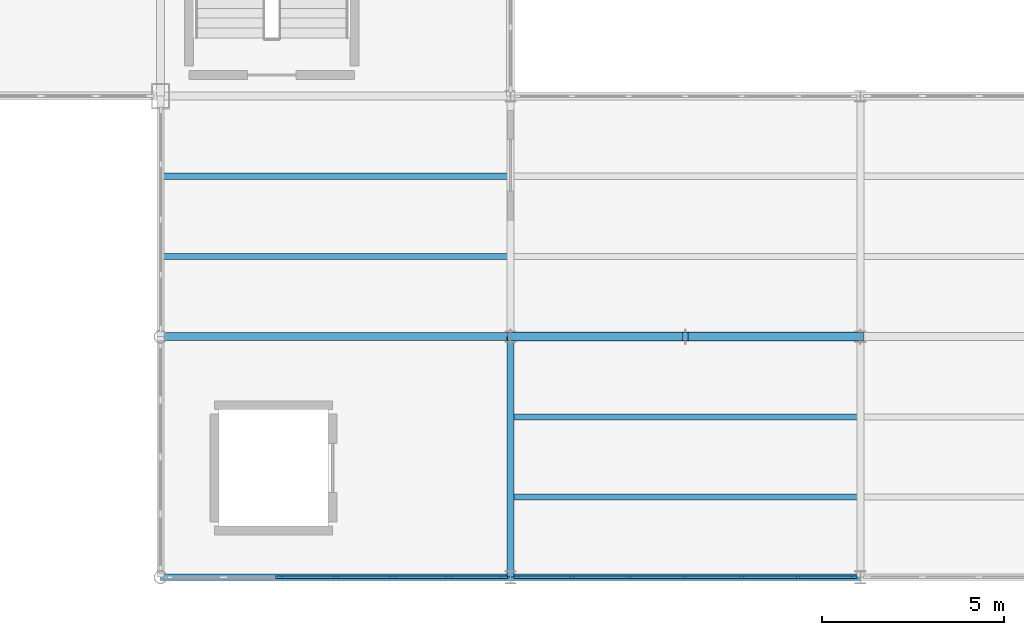
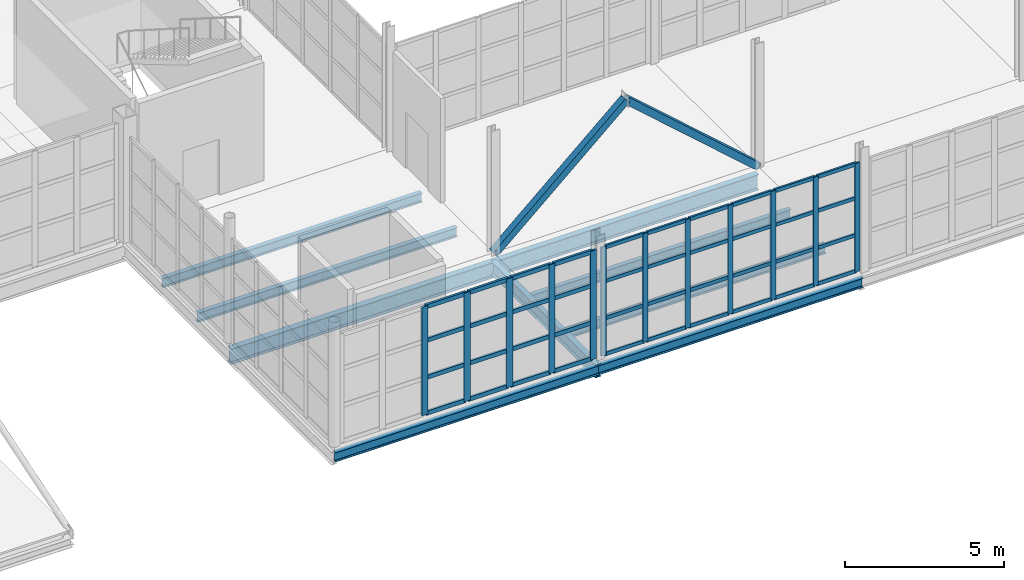
# One storey, part 58 of 120: 54 members, 9 beams, 2 elements without a shape of their own.
"""IFC4 building model written with IfcOpenShell, lengths in metres."""

from ifc_helpers import new_model, si_unit, direction, frame, origin, origin_2d, place, context, subcontext, project, spatial, rectangle, hollow_rectangle, i_section, extrude, material, layer, layer_set, material_profile, profile_set, type_object, element, aggregate, save


model = new_model("IFC4")

# Units and contexts
model_context = context("Model", 3, precision=1e-05, world=origin(), true_north=direction((0.0, 1.0)))
body_context = subcontext(model_context, "Body", "Model", "MODEL_VIEW")
ifc_project = project(units=[si_unit("LENGTHUNIT", "METRE"), si_unit("AREAUNIT", "SQUARE_METRE"), si_unit("VOLUMEUNIT", "CUBIC_METRE"), si_unit("PLANEANGLEUNIT", "RADIAN"), si_unit("MASSUNIT", "GRAM", prefix="KILO")], contexts=[model_context])

# Site, building, storey
site_placement = place(None, origin())
site = spatial("IfcSite", under=ifc_project, at=site_placement, CompositionType="ELEMENT")
building_placement = place(site_placement, origin())
building = spatial("IfcBuilding", under=site, at=building_placement, Name="Zarnetskaya Central Station", CompositionType="ELEMENT")
storey_placement = place(building_placement, frame((0.0, 0.0, 5.39990234375)))
storey = spatial("IfcBuildingStorey", under=building, at=storey_placement, Name="L01", CompositionType="ELEMENT", Elevation=5.39990234375)

# Beams
ifc_material_1 = material(Name="Steel S355", Category="steel")
ifc_material_profile_1 = material_profile(ifc_material_1, i_section(OverallWidth=0.169921875, OverallDepth=0.360107421875, WebThickness=0.008056640625, FlangeThickness=0.0126953125, FilletRadius=0.01806640625, at=origin_2d()), Name="IPE 360")
ifc_profile_set_1 = profile_set([ifc_material_profile_1], Name="Steel S355")
beam_type_1 = type_object("IfcBeamType", Name="BM-SEC-360", PredefinedType="BEAM", material=ifc_profile_set_1)
for number, where, z_axis, x_axis, name in (
    (1, (124.8798828125, 8.800048828125, -0.4599609375), (1.0, 0.0, 0.0), (0.0, 1.0, 0.0), "Secondary floor beam SEC-L01-Z512-PQ-23-1"),
    (2, (124.8798828125, 11.0, -0.4599609375), (1.0, 0.0, 0.0), (0.0, 1.0, 0.0), "Secondary floor beam SEC-L01-Z512-PQ-23-2"),
):
    element("IfcBeam", number, at=place(storey_placement, frame(where, z_axis=z_axis, x_axis=x_axis)), inside=storey, type_object=beam_type_1, Name=name, PredefinedType="BEAM", context=body_context, shape_type="SweptSolid", body=[
        extrude(i_section(OverallWidth=0.169921875, OverallDepth=0.360107421875, WebThickness=0.008056640625, FlangeThickness=0.0126953125, FilletRadius=0.01806640625, at=origin_2d()), origin(), (0.0, 0.0, 1.0), 9.440185546875),
    ])
for number, where, z_axis, x_axis, name in (
    (3, (134.47998046875, 2.199951171875, -0.4599609375), (1.0, 0.0, 0.0), (0.0, 1.0, 0.0), "Secondary floor beam SEC-L01-Z512-QR-12-1"),
    (4, (134.47998046875, 4.39990234375, -0.4599609375), (1.0, 0.0, 0.0), (0.0, 1.0, 0.0), "Secondary floor beam SEC-L01-Z512-QR-12-2"),
):
    element("IfcBeam", number, at=place(storey_placement, frame(where, z_axis=z_axis, x_axis=x_axis)), inside=storey, type_object=beam_type_1, Name=name, PredefinedType="BEAM", context=body_context, shape_type="SweptSolid", body=[
        extrude(i_section(OverallWidth=0.169921875, OverallDepth=0.360107421875, WebThickness=0.008056640625, FlangeThickness=0.0126953125, FilletRadius=0.01806640625, at=origin_2d()), origin(), (0.0, 0.0, 1.0), 9.43994140625),
    ])
ifc_material_profile_2 = material_profile(ifc_material_1, i_section(OverallWidth=0.169921875, OverallDepth=0.360107421875, WebThickness=0.008056640625, FlangeThickness=0.0126953125, FilletRadius=0.01806640625, at=origin_2d()), Name="IPE 360")
ifc_profile_set_2 = profile_set([ifc_material_profile_2], Name="Steel S355")
beam_type_2 = type_object("IfcBeamType", Name="BM-SPN-V4", PredefinedType="SPANDREL", material=ifc_profile_set_2)
beam_1_placement = place(storey_placement, frame((124.800048828125, 0.0, -0.4599609375), z_axis=(1.0, 0.0, 0.0), x_axis=(0.0, 1.0, 0.0)))
element("IfcBeam", 5, at=beam_1_placement, inside=storey, type_object=beam_type_2, Name="Grid girder GX-L01-1-PQ", PredefinedType="SPANDREL", context=body_context, shape_type="SweptSolid", body=[
    extrude(i_section(OverallWidth=0.169921875, OverallDepth=0.360107421875, WebThickness=0.008056640625, FlangeThickness=0.0126953125, FilletRadius=0.01806640625, at=origin_2d()), origin(), (0.0, 0.0, 1.0), 9.599853515625),
])
beam_2_placement = place(storey_placement, frame((134.39990234375, 0.0, -0.4599609375), z_axis=(1.0, 0.0, 0.0), x_axis=(0.0, 1.0, 0.0)))
element("IfcBeam", 6, at=beam_2_placement, inside=storey, type_object=beam_type_2, Name="Grid girder GX-L01-1-QR", PredefinedType="SPANDREL", context=body_context, shape_type="SweptSolid", body=[
    extrude(i_section(OverallWidth=0.169921875, OverallDepth=0.360107421875, WebThickness=0.008056640625, FlangeThickness=0.0126953125, FilletRadius=0.01806640625, at=origin_2d()), origin(), (0.0, 0.0, 1.0), 9.60009765625),
])

# Curtain wall, members
ifc_material_2 = material(Name="Low-E insulated glass", Category="glass")
ifc_layer = layer(ifc_material_2, 0.159912109375, Name="Low-E insulated glass", Category="glass")
ifc_layer_set = layer_set([ifc_layer], Name="Low-E insulated glass")
curtain_wall_type = type_object("IfcCurtainWallType", Name="CW-SYS-06", PredefinedType="USERDEFINED", material=ifc_layer_set)
curtain_wall_1_placement = place(storey_placement, origin())
curtain_wall_1 = element("IfcCurtainWall", 7, at=curtain_wall_1_placement, inside=storey, type_object=curtain_wall_type, Name="Curtain wall CW-L01-125", ObjectType="CURTAIN WALL", PredefinedType="USERDEFINED")
ifc_material_3 = material(Name="Anodised aluminium", Category="aluminium")
ifc_material_profile_3 = material_profile(ifc_material_3, rectangle(XDim=0.070068359375, YDim=0.179931640625, at=origin_2d()), Name="ALU MULL 70x180")
ifc_profile_set_3 = profile_set([ifc_material_profile_3], Name="Anodised aluminium")
member_type_1 = type_object("IfcMemberType", Name="CW-MULL-180", PredefinedType="MULLION", material=ifc_profile_set_3)
member_1_placement = place(storey_placement, frame((143.81494140625, 0.0, 0.0), z_axis=(0.0, 0.0, 1.0), x_axis=(0.0, -1.0, 0.0)))
member_1 = element("IfcMember", 8, at=member_1_placement, type_object=member_type_1, Name="CW-02 mullion 1", PredefinedType="MULLION", context=body_context, shape_type="SweptSolid", body=[
    extrude(rectangle(XDim=0.070068359375, YDim=0.179931640625, at=origin_2d()), origin(), (0.0, 0.0, 1.0), 4.18017578125),
])
member_2_placement = place(storey_placement, frame((142.300048828125, 0.0, 0.0), z_axis=(0.0, 0.0, 1.0), x_axis=(0.0, -1.0, 0.0)))
member_2 = element("IfcMember", 9, at=member_2_placement, type_object=member_type_1, Name="CW-02 mullion 2", PredefinedType="MULLION", context=body_context, shape_type="SweptSolid", body=[
    extrude(rectangle(XDim=0.070068359375, YDim=0.179931640625, at=origin_2d()), origin(), (0.0, 0.0, 1.0), 4.18017578125),
])
member_3_placement = place(storey_placement, frame((140.75, 0.0, 0.0), z_axis=(0.0, 0.0, 1.0), x_axis=(0.0, -1.0, 0.0)))
member_3 = element("IfcMember", 10, at=member_3_placement, type_object=member_type_1, Name="CW-02 mullion 3", PredefinedType="MULLION", context=body_context, shape_type="SweptSolid", body=[
    extrude(rectangle(XDim=0.070068359375, YDim=0.179931640625, at=origin_2d()), origin(), (0.0, 0.0, 1.0), 4.18017578125),
])
member_4_placement = place(storey_placement, frame((139.199951171875, 0.0, 0.0), z_axis=(0.0, 0.0, 1.0), x_axis=(0.0, -1.0, 0.0)))
member_4 = element("IfcMember", 11, at=member_4_placement, type_object=member_type_1, Name="CW-02 mullion 4", PredefinedType="MULLION", context=body_context, shape_type="SweptSolid", body=[
    extrude(rectangle(XDim=0.070068359375, YDim=0.179931640625, at=origin_2d()), origin(), (0.0, 0.0, 1.0), 4.18017578125),
])
member_5_placement = place(storey_placement, frame((137.64990234375, 0.0, 0.0), z_axis=(0.0, 0.0, 1.0), x_axis=(0.0, -1.0, 0.0)))
member_5 = element("IfcMember", 12, at=member_5_placement, type_object=member_type_1, Name="CW-02 mullion 5", PredefinedType="MULLION", context=body_context, shape_type="SweptSolid", body=[
    extrude(rectangle(XDim=0.070068359375, YDim=0.179931640625, at=origin_2d()), origin(), (0.0, 0.0, 1.0), 4.18017578125),
])
member_6_placement = place(storey_placement, frame((136.10009765625, 0.0, 0.0), z_axis=(0.0, 0.0, 1.0), x_axis=(0.0, -1.0, 0.0)))
member_6 = element("IfcMember", 13, at=member_6_placement, type_object=member_type_1, Name="CW-02 mullion 6", PredefinedType="MULLION", context=body_context, shape_type="SweptSolid", body=[
    extrude(rectangle(XDim=0.070068359375, YDim=0.179931640625, at=origin_2d()), origin(), (0.0, 0.0, 1.0), 4.18017578125),
])
member_7_placement = place(storey_placement, frame((134.5849609375, 0.0, 0.0), z_axis=(0.0, 0.0, 1.0), x_axis=(0.0, -1.0, 0.0)))
member_7 = element("IfcMember", 14, at=member_7_placement, type_object=member_type_1, Name="CW-02 mullion 7", PredefinedType="MULLION", context=body_context, shape_type="SweptSolid", body=[
    extrude(rectangle(XDim=0.070068359375, YDim=0.179931640625, at=origin_2d()), origin(), (0.0, 0.0, 1.0), 4.18017578125),
])

curtain_wall_2_placement = place(storey_placement, origin())
curtain_wall_2 = element("IfcCurtainWall", 15, at=curtain_wall_2_placement, inside=storey, type_object=curtain_wall_type, Name="Curtain wall CW-L01-126", ObjectType="CURTAIN WALL", PredefinedType="USERDEFINED")
ifc_material_profile_4 = material_profile(ifc_material_3, rectangle(XDim=0.080078125, YDim=0.219970703125, at=origin_2d()), Name="ALU MULL 80x220")
ifc_profile_set_4 = profile_set([ifc_material_profile_4], Name="Anodised aluminium")
member_type_2 = type_object("IfcMemberType", Name="CW-MULL-220", PredefinedType="MULLION", material=ifc_profile_set_4)
member_8_placement = place(storey_placement, frame((134.2099609375, 0.0, 0.0), z_axis=(0.0, 0.0, 1.0), x_axis=(0.0, -1.0, 0.0)))
member_8 = element("IfcMember", 16, at=member_8_placement, type_object=member_type_2, Name="CW-02 mullion 1", PredefinedType="MULLION", context=body_context, shape_type="SweptSolid", body=[
    extrude(rectangle(XDim=0.080078125, YDim=0.219970703125, at=origin_2d()), origin(), (0.0, 0.0, 1.0), 4.18017578125),
])
member_9_placement = place(storey_placement, frame((132.70458984375, 0.0, 0.0), z_axis=(0.0, 0.0, 1.0), x_axis=(0.0, -1.0, 0.0)))
member_9 = element("IfcMember", 17, at=member_9_placement, type_object=member_type_2, Name="CW-02 mullion 2", PredefinedType="MULLION", context=body_context, shape_type="SweptSolid", body=[
    extrude(rectangle(XDim=0.080078125, YDim=0.219970703125, at=origin_2d()), origin(), (0.0, 0.0, 1.0), 4.18017578125),
])
member_10_placement = place(storey_placement, frame((131.1591796875, 0.0, 0.0), z_axis=(0.0, 0.0, 1.0), x_axis=(0.0, -1.0, 0.0)))
member_10 = element("IfcMember", 18, at=member_10_placement, type_object=member_type_2, Name="CW-02 mullion 3", PredefinedType="MULLION", context=body_context, shape_type="SweptSolid", body=[
    extrude(rectangle(XDim=0.080078125, YDim=0.219970703125, at=origin_2d()), origin(), (0.0, 0.0, 1.0), 4.18017578125),
])
member_11_placement = place(storey_placement, frame((129.614013671875, 0.0, 0.0), z_axis=(0.0, 0.0, 1.0), x_axis=(0.0, -1.0, 0.0)))
member_11 = element("IfcMember", 19, at=member_11_placement, type_object=member_type_2, Name="CW-02 mullion 4", PredefinedType="MULLION", context=body_context, shape_type="SweptSolid", body=[
    extrude(rectangle(XDim=0.080078125, YDim=0.219970703125, at=origin_2d()), origin(), (0.0, 0.0, 1.0), 4.18017578125),
])
member_12_placement = place(storey_placement, frame((128.068603515625, 0.0, 0.0), z_axis=(0.0, 0.0, 1.0), x_axis=(0.0, -1.0, 0.0)))
member_12 = element("IfcMember", 20, at=member_12_placement, type_object=member_type_2, Name="CW-02 mullion 5", PredefinedType="MULLION", context=body_context, shape_type="SweptSolid", body=[
    extrude(rectangle(XDim=0.080078125, YDim=0.219970703125, at=origin_2d()), origin(), (0.0, 0.0, 1.0), 4.18017578125),
])

# Member
ifc_material_profile_5 = material_profile(ifc_material_3, rectangle(XDim=0.070068359375, YDim=0.139892578125, at=origin_2d()), Name="ALU TRAN 70x140")
ifc_profile_set_5 = profile_set([ifc_material_profile_5], Name="Anodised aluminium")
member_type_3 = type_object("IfcMemberType", Name="CW-TRAN-140", PredefinedType="USERDEFINED", material=ifc_profile_set_5)
member_13_placement = place(storey_placement, frame((143.780029296875, 0.0, 0.03515625), z_axis=(-1.0, 0.0, 0.0), x_axis=(0.0, -1.0, 0.0)))
member_13 = element("IfcMember", 21, at=member_13_placement, type_object=member_type_3, Name="CW-02 transom 1.1", ObjectType="TRANSOM", PredefinedType="USERDEFINED", context=body_context, shape_type="SweptSolid", body=[
    extrude(rectangle(XDim=0.070068359375, YDim=0.139892578125, at=origin_2d()), origin(), (0.0, 0.0, 1.0), 1.445068359375),
])

member_14_placement = place(storey_placement, frame((143.780029296875, 0.0, 1.421142578125), z_axis=(-1.0, 0.0, 0.0), x_axis=(0.0, -1.0, 0.0)))
member_14 = element("IfcMember", 22, at=member_14_placement, type_object=member_type_3, Name="CW-02 transom 1.2", ObjectType="TRANSOM", PredefinedType="USERDEFINED", context=body_context, shape_type="SweptSolid", body=[
    extrude(rectangle(XDim=0.070068359375, YDim=0.139892578125, at=origin_2d()), origin(), (0.0, 0.0, 1.0), 1.445068359375),
])

member_15_placement = place(storey_placement, frame((143.780029296875, 0.0, 2.842041015625), z_axis=(-1.0, 0.0, 0.0), x_axis=(0.0, -1.0, 0.0)))
member_15 = element("IfcMember", 23, at=member_15_placement, type_object=member_type_3, Name="CW-02 transom 1.3", ObjectType="TRANSOM", PredefinedType="USERDEFINED", context=body_context, shape_type="SweptSolid", body=[
    extrude(rectangle(XDim=0.070068359375, YDim=0.139892578125, at=origin_2d()), origin(), (0.0, 0.0, 1.0), 1.445068359375),
])

member_16_placement = place(storey_placement, frame((143.780029296875, 0.0, 4.14501953125), z_axis=(-1.0, 0.0, 0.0), x_axis=(0.0, -1.0, 0.0)))
member_16 = element("IfcMember", 24, at=member_16_placement, type_object=member_type_3, Name="CW-02 transom 1.4", ObjectType="TRANSOM", PredefinedType="USERDEFINED", context=body_context, shape_type="SweptSolid", body=[
    extrude(rectangle(XDim=0.070068359375, YDim=0.139892578125, at=origin_2d()), origin(), (0.0, 0.0, 1.0), 1.445068359375),
])

member_17_placement = place(storey_placement, frame((142.264892578125, 0.0, 0.03515625), z_axis=(-1.0, 0.0, 0.0), x_axis=(0.0, -1.0, 0.0)))
member_17 = element("IfcMember", 25, at=member_17_placement, type_object=member_type_3, Name="CW-02 transom 2.1", ObjectType="TRANSOM", PredefinedType="USERDEFINED", context=body_context, shape_type="SweptSolid", body=[
    extrude(rectangle(XDim=0.070068359375, YDim=0.139892578125, at=origin_2d()), origin(), (0.0, 0.0, 1.0), 1.47998046875),
])

member_18_placement = place(storey_placement, frame((142.264892578125, 0.0, 1.421142578125), z_axis=(-1.0, 0.0, 0.0), x_axis=(0.0, -1.0, 0.0)))
member_18 = element("IfcMember", 26, at=member_18_placement, type_object=member_type_3, Name="CW-02 transom 2.2", ObjectType="TRANSOM", PredefinedType="USERDEFINED", context=body_context, shape_type="SweptSolid", body=[
    extrude(rectangle(XDim=0.070068359375, YDim=0.139892578125, at=origin_2d()), origin(), (0.0, 0.0, 1.0), 1.47998046875),
])

member_19_placement = place(storey_placement, frame((142.264892578125, 0.0, 2.842041015625), z_axis=(-1.0, 0.0, 0.0), x_axis=(0.0, -1.0, 0.0)))
member_19 = element("IfcMember", 27, at=member_19_placement, type_object=member_type_3, Name="CW-02 transom 2.3", ObjectType="TRANSOM", PredefinedType="USERDEFINED", context=body_context, shape_type="SweptSolid", body=[
    extrude(rectangle(XDim=0.070068359375, YDim=0.139892578125, at=origin_2d()), origin(), (0.0, 0.0, 1.0), 1.47998046875),
])

member_20_placement = place(storey_placement, frame((142.264892578125, 0.0, 4.14501953125), z_axis=(-1.0, 0.0, 0.0), x_axis=(0.0, -1.0, 0.0)))
member_20 = element("IfcMember", 28, at=member_20_placement, type_object=member_type_3, Name="CW-02 transom 2.4", ObjectType="TRANSOM", PredefinedType="USERDEFINED", context=body_context, shape_type="SweptSolid", body=[
    extrude(rectangle(XDim=0.070068359375, YDim=0.139892578125, at=origin_2d()), origin(), (0.0, 0.0, 1.0), 1.47998046875),
])

member_21_placement = place(storey_placement, frame((140.715087890625, 0.0, 0.03515625), z_axis=(-1.0, 0.0, 0.0), x_axis=(0.0, -1.0, 0.0)))
member_21 = element("IfcMember", 29, at=member_21_placement, type_object=member_type_3, Name="CW-02 transom 3.1", ObjectType="TRANSOM", PredefinedType="USERDEFINED", context=body_context, shape_type="SweptSolid", body=[
    extrude(rectangle(XDim=0.070068359375, YDim=0.139892578125, at=origin_2d()), origin(), (0.0, 0.0, 1.0), 1.47998046875),
])

member_22_placement = place(storey_placement, frame((140.715087890625, 0.0, 1.421142578125), z_axis=(-1.0, 0.0, 0.0), x_axis=(0.0, -1.0, 0.0)))
member_22 = element("IfcMember", 30, at=member_22_placement, type_object=member_type_3, Name="CW-02 transom 3.2", ObjectType="TRANSOM", PredefinedType="USERDEFINED", context=body_context, shape_type="SweptSolid", body=[
    extrude(rectangle(XDim=0.070068359375, YDim=0.139892578125, at=origin_2d()), origin(), (0.0, 0.0, 1.0), 1.47998046875),
])

member_23_placement = place(storey_placement, frame((140.715087890625, 0.0, 2.842041015625), z_axis=(-1.0, 0.0, 0.0), x_axis=(0.0, -1.0, 0.0)))
member_23 = element("IfcMember", 31, at=member_23_placement, type_object=member_type_3, Name="CW-02 transom 3.3", ObjectType="TRANSOM", PredefinedType="USERDEFINED", context=body_context, shape_type="SweptSolid", body=[
    extrude(rectangle(XDim=0.070068359375, YDim=0.139892578125, at=origin_2d()), origin(), (0.0, 0.0, 1.0), 1.47998046875),
])

member_24_placement = place(storey_placement, frame((140.715087890625, 0.0, 4.14501953125), z_axis=(-1.0, 0.0, 0.0), x_axis=(0.0, -1.0, 0.0)))
member_24 = element("IfcMember", 32, at=member_24_placement, type_object=member_type_3, Name="CW-02 transom 3.4", ObjectType="TRANSOM", PredefinedType="USERDEFINED", context=body_context, shape_type="SweptSolid", body=[
    extrude(rectangle(XDim=0.070068359375, YDim=0.139892578125, at=origin_2d()), origin(), (0.0, 0.0, 1.0), 1.47998046875),
])

member_25_placement = place(storey_placement, frame((139.1650390625, 0.0, 0.03515625), z_axis=(-1.0, 0.0, 0.0), x_axis=(0.0, -1.0, 0.0)))
member_25 = element("IfcMember", 33, at=member_25_placement, type_object=member_type_3, Name="CW-02 transom 4.1", ObjectType="TRANSOM", PredefinedType="USERDEFINED", context=body_context, shape_type="SweptSolid", body=[
    extrude(rectangle(XDim=0.070068359375, YDim=0.139892578125, at=origin_2d()), origin(), (0.0, 0.0, 1.0), 1.47998046875),
])

member_26_placement = place(storey_placement, frame((139.1650390625, 0.0, 1.421142578125), z_axis=(-1.0, 0.0, 0.0), x_axis=(0.0, -1.0, 0.0)))
member_26 = element("IfcMember", 34, at=member_26_placement, type_object=member_type_3, Name="CW-02 transom 4.2", ObjectType="TRANSOM", PredefinedType="USERDEFINED", context=body_context, shape_type="SweptSolid", body=[
    extrude(rectangle(XDim=0.070068359375, YDim=0.139892578125, at=origin_2d()), origin(), (0.0, 0.0, 1.0), 1.47998046875),
])

member_27_placement = place(storey_placement, frame((139.1650390625, 0.0, 2.842041015625), z_axis=(-1.0, 0.0, 0.0), x_axis=(0.0, -1.0, 0.0)))
member_27 = element("IfcMember", 35, at=member_27_placement, type_object=member_type_3, Name="CW-02 transom 4.3", ObjectType="TRANSOM", PredefinedType="USERDEFINED", context=body_context, shape_type="SweptSolid", body=[
    extrude(rectangle(XDim=0.070068359375, YDim=0.139892578125, at=origin_2d()), origin(), (0.0, 0.0, 1.0), 1.47998046875),
])

member_28_placement = place(storey_placement, frame((139.1650390625, 0.0, 4.14501953125), z_axis=(-1.0, 0.0, 0.0), x_axis=(0.0, -1.0, 0.0)))
member_28 = element("IfcMember", 36, at=member_28_placement, type_object=member_type_3, Name="CW-02 transom 4.4", ObjectType="TRANSOM", PredefinedType="USERDEFINED", context=body_context, shape_type="SweptSolid", body=[
    extrude(rectangle(XDim=0.070068359375, YDim=0.139892578125, at=origin_2d()), origin(), (0.0, 0.0, 1.0), 1.47998046875),
])

member_29_placement = place(storey_placement, frame((137.614990234375, 0.0, 0.03515625), z_axis=(-1.0, 0.0, 0.0), x_axis=(0.0, -1.0, 0.0)))
member_29 = element("IfcMember", 37, at=member_29_placement, type_object=member_type_3, Name="CW-02 transom 5.1", ObjectType="TRANSOM", PredefinedType="USERDEFINED", context=body_context, shape_type="SweptSolid", body=[
    extrude(rectangle(XDim=0.070068359375, YDim=0.139892578125, at=origin_2d()), origin(), (0.0, 0.0, 1.0), 1.47998046875),
])

member_30_placement = place(storey_placement, frame((137.614990234375, 0.0, 1.421142578125), z_axis=(-1.0, 0.0, 0.0), x_axis=(0.0, -1.0, 0.0)))
member_30 = element("IfcMember", 38, at=member_30_placement, type_object=member_type_3, Name="CW-02 transom 5.2", ObjectType="TRANSOM", PredefinedType="USERDEFINED", context=body_context, shape_type="SweptSolid", body=[
    extrude(rectangle(XDim=0.070068359375, YDim=0.139892578125, at=origin_2d()), origin(), (0.0, 0.0, 1.0), 1.47998046875),
])

member_31_placement = place(storey_placement, frame((137.614990234375, 0.0, 2.842041015625), z_axis=(-1.0, 0.0, 0.0), x_axis=(0.0, -1.0, 0.0)))
member_31 = element("IfcMember", 39, at=member_31_placement, type_object=member_type_3, Name="CW-02 transom 5.3", ObjectType="TRANSOM", PredefinedType="USERDEFINED", context=body_context, shape_type="SweptSolid", body=[
    extrude(rectangle(XDim=0.070068359375, YDim=0.139892578125, at=origin_2d()), origin(), (0.0, 0.0, 1.0), 1.47998046875),
])

member_32_placement = place(storey_placement, frame((137.614990234375, 0.0, 4.14501953125), z_axis=(-1.0, 0.0, 0.0), x_axis=(0.0, -1.0, 0.0)))
member_32 = element("IfcMember", 40, at=member_32_placement, type_object=member_type_3, Name="CW-02 transom 5.4", ObjectType="TRANSOM", PredefinedType="USERDEFINED", context=body_context, shape_type="SweptSolid", body=[
    extrude(rectangle(XDim=0.070068359375, YDim=0.139892578125, at=origin_2d()), origin(), (0.0, 0.0, 1.0), 1.47998046875),
])

member_33_placement = place(storey_placement, frame((136.06494140625, 0.0, 0.03515625), z_axis=(-1.0, 0.0, 0.0), x_axis=(0.0, -1.0, 0.0)))
member_33 = element("IfcMember", 41, at=member_33_placement, type_object=member_type_3, Name="CW-02 transom 6.1", ObjectType="TRANSOM", PredefinedType="USERDEFINED", context=body_context, shape_type="SweptSolid", body=[
    extrude(rectangle(XDim=0.070068359375, YDim=0.139892578125, at=origin_2d()), origin(), (0.0, 0.0, 1.0), 1.44482421875),
])

member_34_placement = place(storey_placement, frame((136.06494140625, 0.0, 1.421142578125), z_axis=(-1.0, 0.0, 0.0), x_axis=(0.0, -1.0, 0.0)))
member_34 = element("IfcMember", 42, at=member_34_placement, type_object=member_type_3, Name="CW-02 transom 6.2", ObjectType="TRANSOM", PredefinedType="USERDEFINED", context=body_context, shape_type="SweptSolid", body=[
    extrude(rectangle(XDim=0.070068359375, YDim=0.139892578125, at=origin_2d()), origin(), (0.0, 0.0, 1.0), 1.44482421875),
])

member_35_placement = place(storey_placement, frame((136.06494140625, 0.0, 2.842041015625), z_axis=(-1.0, 0.0, 0.0), x_axis=(0.0, -1.0, 0.0)))
member_35 = element("IfcMember", 43, at=member_35_placement, type_object=member_type_3, Name="CW-02 transom 6.3", ObjectType="TRANSOM", PredefinedType="USERDEFINED", context=body_context, shape_type="SweptSolid", body=[
    extrude(rectangle(XDim=0.070068359375, YDim=0.139892578125, at=origin_2d()), origin(), (0.0, 0.0, 1.0), 1.44482421875),
])

member_36_placement = place(storey_placement, frame((136.06494140625, 0.0, 4.14501953125), z_axis=(-1.0, 0.0, 0.0), x_axis=(0.0, -1.0, 0.0)))
member_36 = element("IfcMember", 44, at=member_36_placement, type_object=member_type_3, Name="CW-02 transom 6.4", ObjectType="TRANSOM", PredefinedType="USERDEFINED", context=body_context, shape_type="SweptSolid", body=[
    extrude(rectangle(XDim=0.070068359375, YDim=0.139892578125, at=origin_2d()), origin(), (0.0, 0.0, 1.0), 1.44482421875),
])

aggregate(curtain_wall_1, [member_1, member_2, member_3, member_4, member_5, member_6, member_7, member_13, member_14, member_15, member_16, member_17, member_18, member_19, member_20, member_21, member_22, member_23, member_24, member_25, member_26, member_27, member_28, member_29, member_30, member_31, member_32, member_33, member_34, member_35, member_36])

ifc_material_profile_6 = material_profile(ifc_material_3, rectangle(XDim=0.080078125, YDim=0.159912109375, at=origin_2d()), Name="ALU TRAN 80x160")
ifc_profile_set_6 = profile_set([ifc_material_profile_6], Name="Anodised aluminium")
member_type_4 = type_object("IfcMemberType", Name="CW-TRAN-160", PredefinedType="USERDEFINED", material=ifc_profile_set_6)
member_37_placement = place(storey_placement, frame((134.169921875, 0.0, 0.0400390625), z_axis=(-1.0, 0.0, 0.0), x_axis=(0.0, -1.0, 0.0)))
member_37 = element("IfcMember", 45, at=member_37_placement, type_object=member_type_4, Name="CW-02 transom 1.1", ObjectType="TRANSOM", PredefinedType="USERDEFINED", context=body_context, shape_type="SweptSolid", body=[
    extrude(rectangle(XDim=0.080078125, YDim=0.159912109375, at=origin_2d()), origin(), (0.0, 0.0, 1.0), 1.42529296875),
])

member_38_placement = place(storey_placement, frame((134.169921875, 0.0, 1.421142578125), z_axis=(-1.0, 0.0, 0.0), x_axis=(0.0, -1.0, 0.0)))
member_38 = element("IfcMember", 46, at=member_38_placement, type_object=member_type_4, Name="CW-02 transom 1.2", ObjectType="TRANSOM", PredefinedType="USERDEFINED", context=body_context, shape_type="SweptSolid", body=[
    extrude(rectangle(XDim=0.080078125, YDim=0.159912109375, at=origin_2d()), origin(), (0.0, 0.0, 1.0), 1.42529296875),
])

member_39_placement = place(storey_placement, frame((134.169921875, 0.0, 2.842041015625), z_axis=(-1.0, 0.0, 0.0), x_axis=(0.0, -1.0, 0.0)))
member_39 = element("IfcMember", 47, at=member_39_placement, type_object=member_type_4, Name="CW-02 transom 1.3", ObjectType="TRANSOM", PredefinedType="USERDEFINED", context=body_context, shape_type="SweptSolid", body=[
    extrude(rectangle(XDim=0.080078125, YDim=0.159912109375, at=origin_2d()), origin(), (0.0, 0.0, 1.0), 1.42529296875),
])

member_40_placement = place(storey_placement, frame((134.169921875, 0.0, 4.14013671875), z_axis=(-1.0, 0.0, 0.0), x_axis=(0.0, -1.0, 0.0)))
member_40 = element("IfcMember", 48, at=member_40_placement, type_object=member_type_4, Name="CW-02 transom 1.4", ObjectType="TRANSOM", PredefinedType="USERDEFINED", context=body_context, shape_type="SweptSolid", body=[
    extrude(rectangle(XDim=0.080078125, YDim=0.159912109375, at=origin_2d()), origin(), (0.0, 0.0, 1.0), 1.42529296875),
])

member_41_placement = place(storey_placement, frame((132.66455078125, 0.0, 0.0400390625), z_axis=(-1.0, 0.0, 0.0), x_axis=(0.0, -1.0, 0.0)))
member_41 = element("IfcMember", 49, at=member_41_placement, type_object=member_type_4, Name="CW-02 transom 2.1", ObjectType="TRANSOM", PredefinedType="USERDEFINED", context=body_context, shape_type="SweptSolid", body=[
    extrude(rectangle(XDim=0.080078125, YDim=0.159912109375, at=origin_2d()), origin(), (0.0, 0.0, 1.0), 1.46533203125),
])

member_42_placement = place(storey_placement, frame((132.66455078125, 0.0, 1.421142578125), z_axis=(-1.0, 0.0, 0.0), x_axis=(0.0, -1.0, 0.0)))
member_42 = element("IfcMember", 50, at=member_42_placement, type_object=member_type_4, Name="CW-02 transom 2.2", ObjectType="TRANSOM", PredefinedType="USERDEFINED", context=body_context, shape_type="SweptSolid", body=[
    extrude(rectangle(XDim=0.080078125, YDim=0.159912109375, at=origin_2d()), origin(), (0.0, 0.0, 1.0), 1.46533203125),
])

member_43_placement = place(storey_placement, frame((132.66455078125, 0.0, 2.842041015625), z_axis=(-1.0, 0.0, 0.0), x_axis=(0.0, -1.0, 0.0)))
member_43 = element("IfcMember", 51, at=member_43_placement, type_object=member_type_4, Name="CW-02 transom 2.3", ObjectType="TRANSOM", PredefinedType="USERDEFINED", context=body_context, shape_type="SweptSolid", body=[
    extrude(rectangle(XDim=0.080078125, YDim=0.159912109375, at=origin_2d()), origin(), (0.0, 0.0, 1.0), 1.46533203125),
])

member_44_placement = place(storey_placement, frame((132.66455078125, 0.0, 4.14013671875), z_axis=(-1.0, 0.0, 0.0), x_axis=(0.0, -1.0, 0.0)))
member_44 = element("IfcMember", 52, at=member_44_placement, type_object=member_type_4, Name="CW-02 transom 2.4", ObjectType="TRANSOM", PredefinedType="USERDEFINED", context=body_context, shape_type="SweptSolid", body=[
    extrude(rectangle(XDim=0.080078125, YDim=0.159912109375, at=origin_2d()), origin(), (0.0, 0.0, 1.0), 1.46533203125),
])

member_45_placement = place(storey_placement, frame((131.119384765625, 0.0, 0.0400390625), z_axis=(-1.0, 0.0, 0.0), x_axis=(0.0, -1.0, 0.0)))
member_45 = element("IfcMember", 53, at=member_45_placement, type_object=member_type_4, Name="CW-02 transom 3.1", ObjectType="TRANSOM", PredefinedType="USERDEFINED", context=body_context, shape_type="SweptSolid", body=[
    extrude(rectangle(XDim=0.080078125, YDim=0.159912109375, at=origin_2d()), origin(), (0.0, 0.0, 1.0), 1.465576171875),
])

member_46_placement = place(storey_placement, frame((131.119384765625, 0.0, 1.421142578125), z_axis=(-1.0, 0.0, 0.0), x_axis=(0.0, -1.0, 0.0)))
member_46 = element("IfcMember", 54, at=member_46_placement, type_object=member_type_4, Name="CW-02 transom 3.2", ObjectType="TRANSOM", PredefinedType="USERDEFINED", context=body_context, shape_type="SweptSolid", body=[
    extrude(rectangle(XDim=0.080078125, YDim=0.159912109375, at=origin_2d()), origin(), (0.0, 0.0, 1.0), 1.465576171875),
])

member_47_placement = place(storey_placement, frame((131.119384765625, 0.0, 2.842041015625), z_axis=(-1.0, 0.0, 0.0), x_axis=(0.0, -1.0, 0.0)))
member_47 = element("IfcMember", 55, at=member_47_placement, type_object=member_type_4, Name="CW-02 transom 3.3", ObjectType="TRANSOM", PredefinedType="USERDEFINED", context=body_context, shape_type="SweptSolid", body=[
    extrude(rectangle(XDim=0.080078125, YDim=0.159912109375, at=origin_2d()), origin(), (0.0, 0.0, 1.0), 1.465576171875),
])

member_48_placement = place(storey_placement, frame((131.119384765625, 0.0, 4.14013671875), z_axis=(-1.0, 0.0, 0.0), x_axis=(0.0, -1.0, 0.0)))
member_48 = element("IfcMember", 56, at=member_48_placement, type_object=member_type_4, Name="CW-02 transom 3.4", ObjectType="TRANSOM", PredefinedType="USERDEFINED", context=body_context, shape_type="SweptSolid", body=[
    extrude(rectangle(XDim=0.080078125, YDim=0.159912109375, at=origin_2d()), origin(), (0.0, 0.0, 1.0), 1.465576171875),
])

member_49_placement = place(storey_placement, frame((129.573974609375, 0.0, 0.0400390625), z_axis=(-1.0, 0.0, 0.0), x_axis=(0.0, -1.0, 0.0)))
member_49 = element("IfcMember", 57, at=member_49_placement, type_object=member_type_4, Name="CW-02 transom 4.1", ObjectType="TRANSOM", PredefinedType="USERDEFINED", context=body_context, shape_type="SweptSolid", body=[
    extrude(rectangle(XDim=0.080078125, YDim=0.159912109375, at=origin_2d()), origin(), (0.0, 0.0, 1.0), 1.46533203125),
])

member_50_placement = place(storey_placement, frame((129.573974609375, 0.0, 1.421142578125), z_axis=(-1.0, 0.0, 0.0), x_axis=(0.0, -1.0, 0.0)))
member_50 = element("IfcMember", 58, at=member_50_placement, type_object=member_type_4, Name="CW-02 transom 4.2", ObjectType="TRANSOM", PredefinedType="USERDEFINED", context=body_context, shape_type="SweptSolid", body=[
    extrude(rectangle(XDim=0.080078125, YDim=0.159912109375, at=origin_2d()), origin(), (0.0, 0.0, 1.0), 1.46533203125),
])

member_51_placement = place(storey_placement, frame((129.573974609375, 0.0, 2.842041015625), z_axis=(-1.0, 0.0, 0.0), x_axis=(0.0, -1.0, 0.0)))
member_51 = element("IfcMember", 59, at=member_51_placement, type_object=member_type_4, Name="CW-02 transom 4.3", ObjectType="TRANSOM", PredefinedType="USERDEFINED", context=body_context, shape_type="SweptSolid", body=[
    extrude(rectangle(XDim=0.080078125, YDim=0.159912109375, at=origin_2d()), origin(), (0.0, 0.0, 1.0), 1.46533203125),
])

member_52_placement = place(storey_placement, frame((129.573974609375, 0.0, 4.14013671875), z_axis=(-1.0, 0.0, 0.0), x_axis=(0.0, -1.0, 0.0)))
member_52 = element("IfcMember", 60, at=member_52_placement, type_object=member_type_4, Name="CW-02 transom 4.4", ObjectType="TRANSOM", PredefinedType="USERDEFINED", context=body_context, shape_type="SweptSolid", body=[
    extrude(rectangle(XDim=0.080078125, YDim=0.159912109375, at=origin_2d()), origin(), (0.0, 0.0, 1.0), 1.46533203125),
])

aggregate(curtain_wall_2, [member_8, member_9, member_10, member_11, member_12, member_37, member_38, member_39, member_40, member_41, member_42, member_43, member_44, member_45, member_46, member_47, member_48, member_49, member_50, member_51, member_52])

# Beams
ifc_material_profile_7 = material_profile(ifc_material_1, i_section(OverallWidth=0.199951171875, OverallDepth=0.5, WebThickness=0.01025390625, FlangeThickness=0.01611328125, FilletRadius=0.02099609375, at=origin_2d()), Name="IPE 500")
ifc_profile_set_7 = profile_set([ifc_material_profile_7], Name="Steel S355")
beam_type_3 = type_object("IfcBeamType", Name="GD-FLR-500", PredefinedType="USERDEFINED", material=ifc_profile_set_7)
beam_3_placement = place(storey_placement, frame((134.39990234375, 0.0, -0.52978515625), z_axis=(0.0, 1.0, 0.0), x_axis=(-1.0, 0.0, 0.0)))
element("IfcBeam", 61, at=beam_3_placement, inside=storey, type_object=beam_type_3, Name="Grid girder GY-L01-Q-12", ObjectType="GIRDER", PredefinedType="USERDEFINED", context=body_context, shape_type="SweptSolid", body=[
    extrude(i_section(OverallWidth=0.199951171875, OverallDepth=0.5, WebThickness=0.01025390625, FlangeThickness=0.01611328125, FilletRadius=0.02099609375, at=origin_2d()), origin(), (0.0, 0.0, 1.0), 6.60009765625),
])
ifc_material_profile_8 = material_profile(ifc_material_1, i_section(OverallWidth=0.219970703125, OverallDepth=0.60009765625, WebThickness=0.011962890625, FlangeThickness=0.01904296875, FilletRadius=0.02392578125, at=origin_2d()), Name="IPE 600")
ifc_profile_set_8 = profile_set([ifc_material_profile_8], Name="Steel S355")
beam_type_4 = type_object("IfcBeamType", Name="GD-FLR-600", PredefinedType="USERDEFINED", material=ifc_profile_set_8)
beam_4_placement = place(storey_placement, frame((124.800048828125, 6.60009765625, -0.579833984375), z_axis=(1.0, 0.0, 0.0), x_axis=(0.0, 1.0, 0.0)))
element("IfcBeam", 62, at=beam_4_placement, inside=storey, type_object=beam_type_4, Name="Grid girder GX-L01-2-PQ", ObjectType="GIRDER", PredefinedType="USERDEFINED", context=body_context, shape_type="SweptSolid", body=[
    extrude(i_section(OverallWidth=0.219970703125, OverallDepth=0.60009765625, WebThickness=0.011962890625, FlangeThickness=0.01904296875, FilletRadius=0.02392578125, at=origin_2d()), origin(), (0.0, 0.0, 1.0), 9.599853515625),
])
beam_5_placement = place(storey_placement, frame((134.39990234375, 6.60009765625, -0.579833984375), z_axis=(1.0, 0.0, 0.0), x_axis=(0.0, 1.0, 0.0)))
element("IfcBeam", 63, at=beam_5_placement, inside=storey, type_object=beam_type_4, Name="Grid girder GX-L01-2-QR", ObjectType="GIRDER", PredefinedType="USERDEFINED", context=body_context, shape_type="SweptSolid", body=[
    extrude(i_section(OverallWidth=0.219970703125, OverallDepth=0.60009765625, WebThickness=0.011962890625, FlangeThickness=0.01904296875, FilletRadius=0.02392578125, at=origin_2d()), origin(), (0.0, 0.0, 1.0), 9.60009765625),
])

# Members
ifc_material_profile_9 = material_profile(ifc_material_1, hollow_rectangle(XDim=0.25, YDim=0.25, WallThickness=0.012451171875, at=origin_2d()), Name="SHS 250x250x12.5")
ifc_profile_set_9 = profile_set([ifc_material_profile_9], Name="Steel S355")
member_type_5 = type_object("IfcMemberType", Name="MB-CBF-BRACE", PredefinedType="BRACE", material=ifc_profile_set_9)
for number, where, z_axis, x_axis, name in (
    (64, (134.39990234375, 6.60009765625, 0.0), (0.749477309861, 0.0, 0.662030031044), (0.0, 1.0, 0.0), "Concentrically braced frame chevron 3L L01"),
    (65, (144.0, 6.60009765625, 0.0), (-0.749477309861, 0.0, 0.662030031044), (0.0, -1.0, 0.0), "Concentrically braced frame chevron 3R L01"),
):
    element("IfcMember", number, at=place(storey_placement, frame(where, z_axis=z_axis, x_axis=x_axis)), inside=storey, type_object=member_type_5, Name=name, PredefinedType="BRACE", context=body_context, shape_type="SweptSolid", body=[
        extrude(hollow_rectangle(XDim=0.25, YDim=0.25, WallThickness=0.012451171875, at=origin_2d()), origin(), (0.0, 0.0, 1.0), 6.404541015625),
    ])

save(model, "model.ifc")
